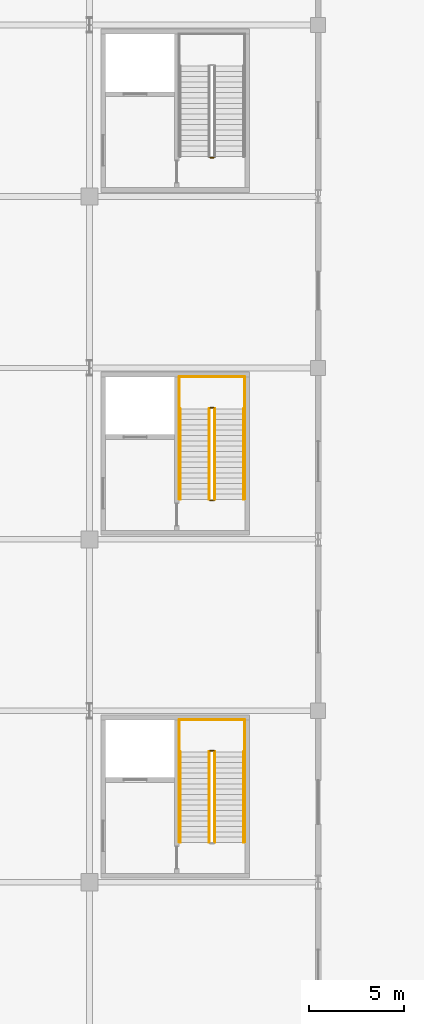
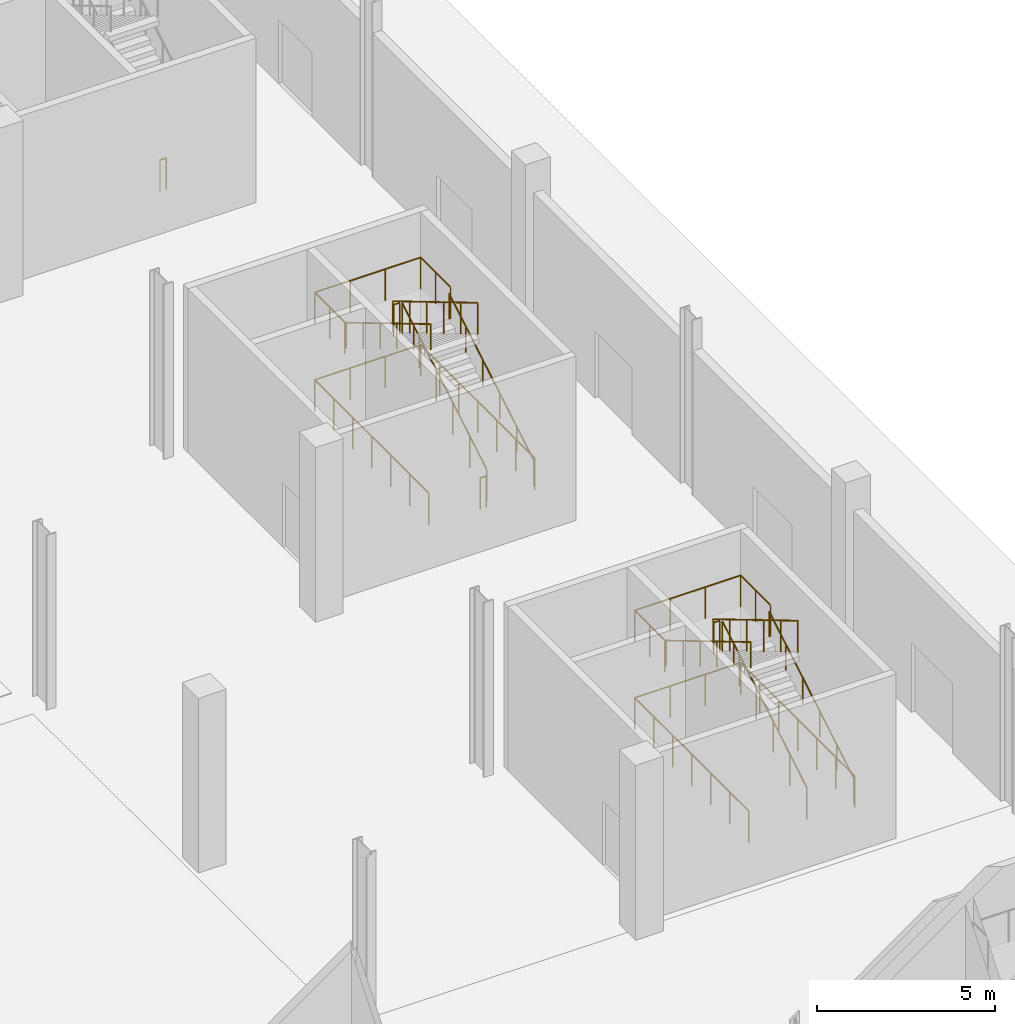
# One storey, part 55 of 58: 24 railings.
"""IFC4 building model written with IfcOpenShell, lengths in metres."""

import ifcopenshell
import ifcopenshell.guid

model = None  # the IFC model being written
_history = None  # IfcOwnerHistory: only IFC2X3 demands one
_inside = {}  # id of a spatial element -> (the spatial element, [elements in it])
_under = {}  # id of a project, library or spatial element -> (it, [spatial elements below it])
_declared = {}  # id of a project -> (the project, [libraries it declares])
_typed = {}  # id of a type object -> (the type object, [elements of that type])
_made_of = {}  # id of a material, layer set ... -> (it, [elements and type objects made of it])


def new_model(schema):
    """Start an empty IFC model of exactly this schema.

    Asked for "IFC4X3", IfcOpenShell would pick the latest addendum, in which some entities
    have other attributes; the version numbers below select the first issue.
    IFC2X3 requires an IfcOwnerHistory on every rooted entity: one is made here for all.
    """
    global model, _history
    if schema == "IFC4X3":
        model = ifcopenshell.file(schema_version=(4, 3, 0, 0))
    else:
        model = ifcopenshell.file(schema=schema)
    _inside.clear()
    _under.clear()
    _declared.clear()
    _typed.clear()
    _made_of.clear()
    _history = None
    if model.schema == "IFC2X3":
        org = make("IfcOrganization", Name="unknown")
        user = make(
            "IfcPersonAndOrganization",
            ThePerson=make("IfcPerson", FamilyName="unknown"),
            TheOrganization=org,
        )
        app = make(
            "IfcApplication",
            ApplicationDeveloper=org,
            Version="unknown",
            ApplicationFullName="unknown",
            ApplicationIdentifier="unknown",
        )
        _history = make(
            "IfcOwnerHistory",
            OwningUser=user,
            OwningApplication=app,
            ChangeAction="ADDED",
            CreationDate=0,
        )
    return model


def make(cls, **values):
    """One entity of the class cls with the attributes given. An attribute that is None is left unset."""
    return model.create_entity(
        cls, **{name: value for name, value in values.items() if value is not None}
    )


def rooted(cls, **values):
    """An entity with a GlobalId (a new one), such as an element, a storey or a relation."""
    return make(cls, GlobalId=ifcopenshell.guid.new(), OwnerHistory=_history, **values)


def si_unit(unit_type, name, prefix=None):
    """IfcSIUnit, for example si_unit("LENGTHUNIT", "METRE", prefix="MILLI")."""
    return make("IfcSIUnit", UnitType=unit_type, Prefix=prefix, Name=name)


def assignment(units):
    """IfcUnitAssignment: the units of a project."""
    return None if units is None else make("IfcUnitAssignment", Units=units)


def point(xyz):
    """IfcCartesianPoint."""
    return None if xyz is None else make("IfcCartesianPoint", Coordinates=xyz)


def direction(xyz):
    """IfcDirection."""
    return None if xyz is None else make("IfcDirection", DirectionRatios=xyz)


def frame(location, z_axis=None, x_axis=None):
    """IfcAxis2Placement3D, a coordinate frame: its origin and axes. An axis left out is left unset."""
    return make(
        "IfcAxis2Placement3D",
        Location=point(location),
        Axis=direction(z_axis),
        RefDirection=direction(x_axis),
    )


def frame_2d(location, x_axis=None):
    """IfcAxis2Placement2D, a coordinate frame in the plane: its origin and x axis."""
    return make(
        "IfcAxis2Placement2D", Location=point(location), RefDirection=direction(x_axis)
    )


def origin():
    """The frame at (0, 0, 0) with its axes left unset."""
    return frame((0.0, 0.0, 0.0))


def origin_2d():
    """The frame at (0, 0) in the plane with its x axis left unset."""
    return frame_2d((0.0, 0.0))


def place(relative_to, where):
    """IfcLocalPlacement: puts the frame where relative to a parent placement (None: the world)."""
    return make(
        "IfcLocalPlacement", PlacementRelTo=relative_to, RelativePlacement=where
    )


def context(
    kind, dimensions, precision=None, world=None, true_north=None, identifier=None
):
    """IfcGeometricRepresentationContext, for example the 3D "Model" context."""
    return make(
        "IfcGeometricRepresentationContext",
        ContextIdentifier=identifier,
        ContextType=kind,
        CoordinateSpaceDimension=dimensions,
        Precision=precision,
        WorldCoordinateSystem=world,
        TrueNorth=true_north,
    )


def subcontext(parent, identifier, kind, view, scale=None):
    """IfcGeometricRepresentationSubContext, for example "Body" below "Model"."""
    return make(
        "IfcGeometricRepresentationSubContext",
        ContextIdentifier=identifier,
        ContextType=kind,
        ParentContext=parent,
        TargetScale=scale,
        TargetView=view,
    )


def project(units=None, contexts=None):
    """IfcProject with its units and contexts."""
    return rooted(
        "IfcProject",
        Name="project",
        RepresentationContexts=contexts,
        UnitsInContext=assignment(units),
    )


def spatial(cls, under=None, at=None, **own):
    """A site, building, storey or space (cls), placed at a placement, below another one or the project."""
    s = rooted(cls, ObjectPlacement=at, **own)
    if under is not None:
        _under.setdefault(under.id(), (under, []))[1].append(s)
    return s


def profile(cls, at=None, kind="AREA", **sizes):
    """A parametric profile (cls). Its sizes go by their IFC names, for example OverallWidth=200.0."""
    return make(cls, ProfileType=kind, Position=at, **sizes)


def circle(**sizes):
    """IfcCircleProfileDef."""
    return profile("IfcCircleProfileDef", **sizes)


def extrude(swept, where, along, depth):
    """IfcExtrudedAreaSolid: the profile swept, set in the frame where, extruded along a direction by depth."""
    return make(
        "IfcExtrudedAreaSolid",
        SweptArea=swept,
        Position=where,
        ExtrudedDirection=direction(along),
        Depth=depth,
    )


def shape(context_of_items, identifier, shape_type, items):
    """IfcShapeRepresentation: the items that make up one representation, for example the "Body"."""
    return make(
        "IfcShapeRepresentation",
        ContextOfItems=context_of_items,
        RepresentationIdentifier=identifier,
        RepresentationType=shape_type,
        Items=items,
    )


def material(Name=None, Category=None):
    """IfcMaterial."""
    return make("IfcMaterial", Name=Name, Category=Category)


def made_of(thing, what):
    """Note that an element or type object is made of a material, layer set ...; save() writes the relation."""
    if what is not None:
        _made_of.setdefault(what.id(), (what, []))[1].append(thing)
    return thing


def type_object(cls, material=None, **own):
    """A type object (cls), such as IfcWallType, which elements share."""
    return made_of(rooted(cls, **own), material)


def element(
    cls,
    number,
    at=None,
    inside=None,
    cuts=None,
    type_object=None,
    material=None,
    context=None,
    identifier="Body",
    shape_type=None,
    held_by="IfcProductDefinitionShape",
    body=None,
    shapes=None,
    **own,
):
    """One element of the class cls, such as IfcWall. Its Tag is "e" and its number.

    at: its placement. inside: the storey or other place that contains it. cuts: it is an
    opening in that element (IfcRelVoidsElement). A single representation is given by context,
    identifier, shape_type and body (its items); several are given by shapes. held_by: the class
    of the entity that holds the representations. save() writes the other relations.
    """
    e = rooted(cls, Tag="e%d" % number, ObjectPlacement=at, **own)
    if body is not None:
        shapes = [shape(context, identifier, shape_type, body)]
    if shapes is not None:
        e.Representation = make(held_by, Representations=shapes)
    if inside is not None:
        _inside.setdefault(inside.id(), (inside, []))[1].append(e)
    if cuts is not None:
        rooted(
            "IfcRelVoidsElement", RelatingBuildingElement=cuts, RelatedOpeningElement=e
        )
    if type_object is not None:
        _typed.setdefault(type_object.id(), (type_object, []))[1].append(e)
    return made_of(e, material)


def aggregate(whole, parts):
    """IfcRelAggregates: a whole, such as a stair, and the parts it consists of."""
    return rooted("IfcRelAggregates", RelatingObject=whole, RelatedObjects=parts)


def save(model, path):
    """Write the relations noted so far, then the file.

    IfcRelAggregates (storeys below a building ...), IfcRelContainedInSpatialStructure (elements
    in a storey), IfcRelDefinesByType, IfcRelAssociatesMaterial and IfcRelDeclares: one each for
    every whole, place, type object, material and project.
    """
    for whole, parts in _under.values():
        aggregate(whole, parts)
    for where, things in _inside.values():
        rooted(
            "IfcRelContainedInSpatialStructure",
            RelatedElements=things,
            RelatingStructure=where,
        )
    for kind, things in _typed.values():
        rooted("IfcRelDefinesByType", RelatedObjects=things, RelatingType=kind)
    for what, things in _made_of.values():
        rooted("IfcRelAssociatesMaterial", RelatedObjects=things, RelatingMaterial=what)
    for by, libraries in _declared.values():
        rooted("IfcRelDeclares", RelatingContext=by, RelatedDefinitions=libraries)
    model.write(path)


model = new_model("IFC4")

# Units and contexts
model_context = context("Model", 3, precision=1e-05, world=origin(), true_north=direction((0.0, 1.0)))
body_context = subcontext(model_context, "Body", "Model", "MODEL_VIEW")
ifc_project = project(units=[si_unit("LENGTHUNIT", "METRE"), si_unit("AREAUNIT", "SQUARE_METRE"), si_unit("VOLUMEUNIT", "CUBIC_METRE"), si_unit("PLANEANGLEUNIT", "RADIAN"), si_unit("MASSUNIT", "GRAM", prefix="KILO")], contexts=[model_context])

# Site, building, storey
site_placement = place(None, origin())
site = spatial("IfcSite", under=ifc_project, at=site_placement, CompositionType="ELEMENT")
building_placement = place(site_placement, origin())
building = spatial("IfcBuilding", under=site, at=building_placement, Name="Barlavento Convention Centre", CompositionType="ELEMENT")
storey_placement = place(building_placement, origin())
storey = spatial("IfcBuildingStorey", under=building, at=storey_placement, Name="L00", CompositionType="ELEMENT", Elevation=0.0)

# Railings
ifc_material_1 = material(Name="Stainless steel and laminated glass balustrade", Category="steel")
railing_type_1 = type_object("IfcRailingType", Name="ARC-RAL-BAL-1100", PredefinedType="BALUSTRADE", material=ifc_material_1)
railing_1_placement = place(storey_placement, frame((186.580078125, 56.090087890625, 0.166748046875)))
element("IfcRailing", 1, at=railing_1_placement, inside=storey, type_object=railing_type_1, Name="L00 ST05 stair guard 1", PredefinedType="BALUSTRADE", context=body_context, shape_type="SweptSolid", body=[
    extrude(circle(Radius=0.02392578125, at=origin_2d()), frame((0.0, 0.0, 1.076171875), z_axis=(0.0, 0.859299802514, 0.511472237174), x_axis=(-1.0, 0.0, 0.0)), (0.0, 0.0, 1.0), 5.539306640625),
    extrude(circle(Radius=0.02099609375, at=origin_2d()), origin(), (0.0, 0.0, 1.0), 1.052001953125),
    extrude(circle(Radius=0.02099609375, at=origin_2d()), frame((0.0, 0.951904296875, 0.566650390625)), (0.0, 0.0, 1.0), 1.052001953125),
    extrude(circle(Radius=0.02099609375, at=origin_2d()), frame((0.0, 1.904052734375, 1.13330078125)), (0.0, 0.0, 1.0), 1.052001953125),
    extrude(circle(Radius=0.02099609375, at=origin_2d()), frame((0.0, 2.85595703125, 1.699951171875)), (0.0, 0.0, 1.0), 1.052001953125),
    extrude(circle(Radius=0.02099609375, at=origin_2d()), frame((0.0, 3.80810546875, 2.2666015625)), (0.0, 0.0, 1.0), 1.052001953125),
    extrude(circle(Radius=0.02099609375, at=origin_2d()), frame((0.0, 4.760009765625, 2.833251953125)), (0.0, 0.0, 1.0), 1.052001953125),
])
railing_2_placement = place(storey_placement, frame((186.530029296875, 60.89990234375, 3.0)))
element("IfcRailing", 2, at=railing_2_placement, inside=storey, type_object=railing_type_1, Name="L00 ST05 stair guard 2", PredefinedType="BALUSTRADE", context=body_context, shape_type="SweptSolid", body=[
    extrude(circle(Radius=0.02392578125, at=origin_2d()), frame((0.0, 0.0, 1.076171875), z_axis=(-1.0, 0.0, 0.0), x_axis=(0.0, -1.0, 0.0)), (0.0, 0.0, 1.0), 0.199951171875),
    extrude(circle(Radius=0.02099609375, at=origin_2d()), origin(), (0.0, 0.0, 1.0), 1.052001953125),
    extrude(circle(Radius=0.02099609375, at=origin_2d()), frame((-0.199951171875, 0.0, 0.0)), (0.0, 0.0, 1.0), 1.052001953125),
])
railing_3_placement = place(storey_placement, frame((186.280029296875, 60.85009765625, 3.166748046875)))
element("IfcRailing", 3, at=railing_3_placement, inside=storey, type_object=railing_type_1, Name="L00 ST05 stair guard 3", PredefinedType="BALUSTRADE", context=body_context, shape_type="SweptSolid", body=[
    extrude(circle(Radius=0.02392578125, at=origin_2d()), frame((0.0, 0.0, 1.076171875), z_axis=(0.0, -0.859299802514, 0.511472237174), x_axis=(1.0, 0.0, 0.0)), (0.0, 0.0, 1.0), 5.539306640625),
    extrude(circle(Radius=0.02099609375, at=origin_2d()), origin(), (0.0, 0.0, 1.0), 1.052001953125),
    extrude(circle(Radius=0.02099609375, at=origin_2d()), frame((0.0, -0.951904296875, 0.566650390625)), (0.0, 0.0, 1.0), 1.052001953125),
    extrude(circle(Radius=0.02099609375, at=origin_2d()), frame((0.0, -1.904052734375, 1.13330078125)), (0.0, 0.0, 1.0), 1.052001953125),
    extrude(circle(Radius=0.02099609375, at=origin_2d()), frame((0.0, -2.85595703125, 1.699951171875)), (0.0, 0.0, 1.0), 1.052001953125),
    extrude(circle(Radius=0.02099609375, at=origin_2d()), frame((0.0, -3.80810546875, 2.2666015625)), (0.0, 0.0, 1.0), 1.052001953125),
    extrude(circle(Radius=0.02099609375, at=origin_2d()), frame((0.0, -4.760009765625, 2.833251953125)), (0.0, 0.0, 1.0), 1.052001953125),
])
for number, where, name in (
    (4, (188.14990234375, 60.85009765625, 3.0), "L00 landing guard GR01"),
    (5, (184.7099609375, 60.85009765625, 3.0), "L00 landing guard GR01"),
):
    element("IfcRailing", number, at=place(storey_placement, frame(where)), inside=storey, type_object=railing_type_1, Name=name, PredefinedType="BALUSTRADE", context=body_context, shape_type="SweptSolid", body=[
        extrude(circle(Radius=0.02392578125, at=origin_2d()), frame((0.0, 0.0, 1.076171875), z_axis=(0.0, 1.0, 0.0), x_axis=(-1.0, 0.0, 0.0)), (0.0, 0.0, 1.0), 1.679931640625),
        extrude(circle(Radius=0.02099609375, at=origin_2d()), origin(), (0.0, 0.0, 1.0), 1.052001953125),
        extrude(circle(Radius=0.02099609375, at=origin_2d()), frame((0.0, 0.83984375, 0.0)), (0.0, 0.0, 1.0), 1.052001953125),
        extrude(circle(Radius=0.02099609375, at=origin_2d()), frame((0.0, 1.679931640625, 0.0)), (0.0, 0.0, 1.0), 1.052001953125),
    ])
railing_4_placement = place(storey_placement, frame((188.14990234375, 62.530029296875, 3.0)))
element("IfcRailing", 6, at=railing_4_placement, inside=storey, type_object=railing_type_1, Name="L00 landing guard GR01", PredefinedType="BALUSTRADE", context=body_context, shape_type="SweptSolid", body=[
    extrude(circle(Radius=0.02392578125, at=origin_2d()), frame((0.0, 0.0, 1.076171875), z_axis=(-1.0, 0.0, 0.0), x_axis=(0.0, -1.0, 0.0)), (0.0, 0.0, 1.0), 3.43994140625),
    extrude(circle(Radius=0.02099609375, at=origin_2d()), origin(), (0.0, 0.0, 1.0), 1.052001953125),
    extrude(circle(Radius=0.02099609375, at=origin_2d()), frame((-1.146728515625, 0.0, 0.0)), (0.0, 0.0, 1.0), 1.052001953125),
    extrude(circle(Radius=0.02099609375, at=origin_2d()), frame((-2.293212890625, 0.0, 0.0)), (0.0, 0.0, 1.0), 1.052001953125),
    extrude(circle(Radius=0.02099609375, at=origin_2d()), frame((-3.43994140625, 0.0, 0.0)), (0.0, 0.0, 1.0), 1.052001953125),
])
railing_5_placement = place(storey_placement, frame((188.14990234375, 56.114990234375, 0.0)))
element("IfcRailing", 7, at=railing_5_placement, inside=storey, type_object=railing_type_1, Name="L00 stairwell perimeter guard GR01", PredefinedType="BALUSTRADE", context=body_context, shape_type="SweptSolid", body=[
    extrude(circle(Radius=0.02392578125, at=origin_2d()), frame((0.0, 0.0, 1.076171875), z_axis=(0.0, 1.0, 0.0), x_axis=(-1.0, 0.0, 0.0)), (0.0, 0.0, 1.0), 6.4150390625),
    extrude(circle(Radius=0.02099609375, at=origin_2d()), origin(), (0.0, 0.0, 1.0), 1.052001953125),
    extrude(circle(Radius=0.02099609375, at=origin_2d()), frame((0.0, 1.069091796875, 0.0)), (0.0, 0.0, 1.0), 1.052001953125),
    extrude(circle(Radius=0.02099609375, at=origin_2d()), frame((0.0, 2.138427734375, 0.0)), (0.0, 0.0, 1.0), 1.052001953125),
    extrude(circle(Radius=0.02099609375, at=origin_2d()), frame((0.0, 3.20751953125, 0.0)), (0.0, 0.0, 1.0), 1.052001953125),
    extrude(circle(Radius=0.02099609375, at=origin_2d()), frame((0.0, 4.276611328125, 0.0)), (0.0, 0.0, 1.0), 1.052001953125),
    extrude(circle(Radius=0.02099609375, at=origin_2d()), frame((0.0, 5.345947265625, 0.0)), (0.0, 0.0, 1.0), 1.052001953125),
    extrude(circle(Radius=0.02099609375, at=origin_2d()), frame((0.0, 6.4150390625, 0.0)), (0.0, 0.0, 1.0), 1.052001953125),
])
railing_6_placement = place(storey_placement, frame((188.14990234375, 62.530029296875, 0.0)))
element("IfcRailing", 8, at=railing_6_placement, inside=storey, type_object=railing_type_1, Name="L00 stairwell perimeter guard GR01", PredefinedType="BALUSTRADE", context=body_context, shape_type="SweptSolid", body=[
    extrude(circle(Radius=0.02392578125, at=origin_2d()), frame((0.0, 0.0, 1.076171875), z_axis=(-1.0, 0.0, 0.0), x_axis=(0.0, -1.0, 0.0)), (0.0, 0.0, 1.0), 3.43994140625),
    extrude(circle(Radius=0.02099609375, at=origin_2d()), origin(), (0.0, 0.0, 1.0), 1.052001953125),
    extrude(circle(Radius=0.02099609375, at=origin_2d()), frame((-1.146728515625, 0.0, 0.0)), (0.0, 0.0, 1.0), 1.052001953125),
    extrude(circle(Radius=0.02099609375, at=origin_2d()), frame((-2.293212890625, 0.0, 0.0)), (0.0, 0.0, 1.0), 1.052001953125),
    extrude(circle(Radius=0.02099609375, at=origin_2d()), frame((-3.43994140625, 0.0, 0.0)), (0.0, 0.0, 1.0), 1.052001953125),
])
railing_7_placement = place(storey_placement, frame((184.7099609375, 62.530029296875, 0.0)))
element("IfcRailing", 9, at=railing_7_placement, inside=storey, type_object=railing_type_1, Name="L00 stairwell perimeter guard GR01", PredefinedType="BALUSTRADE", context=body_context, shape_type="SweptSolid", body=[
    extrude(circle(Radius=0.02392578125, at=origin_2d()), frame((0.0, 0.0, 1.076171875), z_axis=(0.0, -1.0, 0.0), x_axis=(1.0, 0.0, 0.0)), (0.0, 0.0, 1.0), 6.4150390625),
    extrude(circle(Radius=0.02099609375, at=origin_2d()), origin(), (0.0, 0.0, 1.0), 1.052001953125),
    extrude(circle(Radius=0.02099609375, at=origin_2d()), frame((0.0, -1.069091796875, 0.0)), (0.0, 0.0, 1.0), 1.052001953125),
    extrude(circle(Radius=0.02099609375, at=origin_2d()), frame((0.0, -2.138427734375, 0.0)), (0.0, 0.0, 1.0), 1.052001953125),
    extrude(circle(Radius=0.02099609375, at=origin_2d()), frame((0.0, -3.20751953125, 0.0)), (0.0, 0.0, 1.0), 1.052001953125),
    extrude(circle(Radius=0.02099609375, at=origin_2d()), frame((0.0, -4.276611328125, 0.0)), (0.0, 0.0, 1.0), 1.052001953125),
    extrude(circle(Radius=0.02099609375, at=origin_2d()), frame((0.0, -5.345947265625, 0.0)), (0.0, 0.0, 1.0), 1.052001953125),
    extrude(circle(Radius=0.02099609375, at=origin_2d()), frame((0.0, -6.4150390625, 0.0)), (0.0, 0.0, 1.0), 1.052001953125),
])
railing_8_placement = place(storey_placement, frame((186.580078125, 74.090087890625, 0.166748046875)))
element("IfcRailing", 10, at=railing_8_placement, inside=storey, type_object=railing_type_1, Name="L00 ST07 stair guard 1", PredefinedType="BALUSTRADE", context=body_context, shape_type="SweptSolid", body=[
    extrude(circle(Radius=0.02392578125, at=origin_2d()), frame((0.0, 0.0, 1.076171875), z_axis=(0.0, 0.859299802514, 0.511472237174), x_axis=(-1.0, 0.0, 0.0)), (0.0, 0.0, 1.0), 5.539306640625),
    extrude(circle(Radius=0.02099609375, at=origin_2d()), origin(), (0.0, 0.0, 1.0), 1.052001953125),
    extrude(circle(Radius=0.02099609375, at=origin_2d()), frame((0.0, 0.951904296875, 0.566650390625)), (0.0, 0.0, 1.0), 1.052001953125),
    extrude(circle(Radius=0.02099609375, at=origin_2d()), frame((0.0, 1.904052734375, 1.13330078125)), (0.0, 0.0, 1.0), 1.052001953125),
    extrude(circle(Radius=0.02099609375, at=origin_2d()), frame((0.0, 2.85595703125, 1.699951171875)), (0.0, 0.0, 1.0), 1.052001953125),
    extrude(circle(Radius=0.02099609375, at=origin_2d()), frame((0.0, 3.80810546875, 2.2666015625)), (0.0, 0.0, 1.0), 1.052001953125),
    extrude(circle(Radius=0.02099609375, at=origin_2d()), frame((0.0, 4.760009765625, 2.833251953125)), (0.0, 0.0, 1.0), 1.052001953125),
])
railing_9_placement = place(storey_placement, frame((186.530029296875, 78.89990234375, 3.0)))
element("IfcRailing", 11, at=railing_9_placement, inside=storey, type_object=railing_type_1, Name="L00 ST07 stair guard 2", PredefinedType="BALUSTRADE", context=body_context, shape_type="SweptSolid", body=[
    extrude(circle(Radius=0.02392578125, at=origin_2d()), frame((0.0, 0.0, 1.076171875), z_axis=(-1.0, 0.0, 0.0), x_axis=(0.0, -1.0, 0.0)), (0.0, 0.0, 1.0), 0.199951171875),
    extrude(circle(Radius=0.02099609375, at=origin_2d()), origin(), (0.0, 0.0, 1.0), 1.052001953125),
    extrude(circle(Radius=0.02099609375, at=origin_2d()), frame((-0.199951171875, 0.0, 0.0)), (0.0, 0.0, 1.0), 1.052001953125),
])
railing_10_placement = place(storey_placement, frame((186.280029296875, 78.85009765625, 3.166748046875)))
element("IfcRailing", 12, at=railing_10_placement, inside=storey, type_object=railing_type_1, Name="L00 ST07 stair guard 3", PredefinedType="BALUSTRADE", context=body_context, shape_type="SweptSolid", body=[
    extrude(circle(Radius=0.02392578125, at=origin_2d()), frame((0.0, 0.0, 1.076171875), z_axis=(0.0, -0.859299802514, 0.511472237174), x_axis=(1.0, 0.0, 0.0)), (0.0, 0.0, 1.0), 5.539306640625),
    extrude(circle(Radius=0.02099609375, at=origin_2d()), origin(), (0.0, 0.0, 1.0), 1.052001953125),
    extrude(circle(Radius=0.02099609375, at=origin_2d()), frame((0.0, -0.951904296875, 0.566650390625)), (0.0, 0.0, 1.0), 1.052001953125),
    extrude(circle(Radius=0.02099609375, at=origin_2d()), frame((0.0, -1.904052734375, 1.13330078125)), (0.0, 0.0, 1.0), 1.052001953125),
    extrude(circle(Radius=0.02099609375, at=origin_2d()), frame((0.0, -2.85595703125, 1.699951171875)), (0.0, 0.0, 1.0), 1.052001953125),
    extrude(circle(Radius=0.02099609375, at=origin_2d()), frame((0.0, -3.80810546875, 2.2666015625)), (0.0, 0.0, 1.0), 1.052001953125),
    extrude(circle(Radius=0.02099609375, at=origin_2d()), frame((0.0, -4.760009765625, 2.833251953125)), (0.0, 0.0, 1.0), 1.052001953125),
])
railing_11_placement = place(storey_placement, frame((186.530029296875, 74.0400390625, 0.0)))
element("IfcRailing", 13, at=railing_11_placement, inside=storey, type_object=railing_type_1, Name="L00 ST07 stair guard 4", PredefinedType="BALUSTRADE", context=body_context, shape_type="SweptSolid", body=[
    extrude(circle(Radius=0.02392578125, at=origin_2d()), frame((0.0, 0.0, 1.076171875), z_axis=(-1.0, 0.0, 0.0), x_axis=(0.0, -1.0, 0.0)), (0.0, 0.0, 1.0), 0.199951171875),
    extrude(circle(Radius=0.02099609375, at=origin_2d()), origin(), (0.0, 0.0, 1.0), 1.052001953125),
    extrude(circle(Radius=0.02099609375, at=origin_2d()), frame((-0.199951171875, 0.0, 0.0)), (0.0, 0.0, 1.0), 1.052001953125),
])
for number, where, name in (
    (14, (188.14990234375, 78.85009765625, 3.0), "L00 landing guard GR01"),
    (15, (184.7099609375, 78.85009765625, 3.0), "L00 landing guard GR01"),
):
    element("IfcRailing", number, at=place(storey_placement, frame(where)), inside=storey, type_object=railing_type_1, Name=name, PredefinedType="BALUSTRADE", context=body_context, shape_type="SweptSolid", body=[
        extrude(circle(Radius=0.02392578125, at=origin_2d()), frame((0.0, 0.0, 1.076171875), z_axis=(0.0, 1.0, 0.0), x_axis=(-1.0, 0.0, 0.0)), (0.0, 0.0, 1.0), 1.679931640625),
        extrude(circle(Radius=0.02099609375, at=origin_2d()), origin(), (0.0, 0.0, 1.0), 1.052001953125),
        extrude(circle(Radius=0.02099609375, at=origin_2d()), frame((0.0, 0.83984375, 0.0)), (0.0, 0.0, 1.0), 1.052001953125),
        extrude(circle(Radius=0.02099609375, at=origin_2d()), frame((0.0, 1.679931640625, 0.0)), (0.0, 0.0, 1.0), 1.052001953125),
    ])
railing_12_placement = place(storey_placement, frame((188.14990234375, 80.530029296875, 3.0)))
element("IfcRailing", 16, at=railing_12_placement, inside=storey, type_object=railing_type_1, Name="L00 landing guard GR01", PredefinedType="BALUSTRADE", context=body_context, shape_type="SweptSolid", body=[
    extrude(circle(Radius=0.02392578125, at=origin_2d()), frame((0.0, 0.0, 1.076171875), z_axis=(-1.0, 0.0, 0.0), x_axis=(0.0, -1.0, 0.0)), (0.0, 0.0, 1.0), 3.43994140625),
    extrude(circle(Radius=0.02099609375, at=origin_2d()), origin(), (0.0, 0.0, 1.0), 1.052001953125),
    extrude(circle(Radius=0.02099609375, at=origin_2d()), frame((-1.146728515625, 0.0, 0.0)), (0.0, 0.0, 1.0), 1.052001953125),
    extrude(circle(Radius=0.02099609375, at=origin_2d()), frame((-2.293212890625, 0.0, 0.0)), (0.0, 0.0, 1.0), 1.052001953125),
    extrude(circle(Radius=0.02099609375, at=origin_2d()), frame((-3.43994140625, 0.0, 0.0)), (0.0, 0.0, 1.0), 1.052001953125),
])
railing_13_placement = place(storey_placement, frame((188.14990234375, 74.114990234375, 0.0)))
element("IfcRailing", 17, at=railing_13_placement, inside=storey, type_object=railing_type_1, Name="L00 stairwell perimeter guard GR01", PredefinedType="BALUSTRADE", context=body_context, shape_type="SweptSolid", body=[
    extrude(circle(Radius=0.02392578125, at=origin_2d()), frame((0.0, 0.0, 1.076171875), z_axis=(0.0, 1.0, 0.0), x_axis=(-1.0, 0.0, 0.0)), (0.0, 0.0, 1.0), 6.4150390625),
    extrude(circle(Radius=0.02099609375, at=origin_2d()), origin(), (0.0, 0.0, 1.0), 1.052001953125),
    extrude(circle(Radius=0.02099609375, at=origin_2d()), frame((0.0, 1.069091796875, 0.0)), (0.0, 0.0, 1.0), 1.052001953125),
    extrude(circle(Radius=0.02099609375, at=origin_2d()), frame((0.0, 2.138427734375, 0.0)), (0.0, 0.0, 1.0), 1.052001953125),
    extrude(circle(Radius=0.02099609375, at=origin_2d()), frame((0.0, 3.20751953125, 0.0)), (0.0, 0.0, 1.0), 1.052001953125),
    extrude(circle(Radius=0.02099609375, at=origin_2d()), frame((0.0, 4.276611328125, 0.0)), (0.0, 0.0, 1.0), 1.052001953125),
    extrude(circle(Radius=0.02099609375, at=origin_2d()), frame((0.0, 5.345947265625, 0.0)), (0.0, 0.0, 1.0), 1.052001953125),
    extrude(circle(Radius=0.02099609375, at=origin_2d()), frame((0.0, 6.4150390625, 0.0)), (0.0, 0.0, 1.0), 1.052001953125),
])
railing_14_placement = place(storey_placement, frame((188.14990234375, 80.530029296875, 0.0)))
element("IfcRailing", 18, at=railing_14_placement, inside=storey, type_object=railing_type_1, Name="L00 stairwell perimeter guard GR01", PredefinedType="BALUSTRADE", context=body_context, shape_type="SweptSolid", body=[
    extrude(circle(Radius=0.02392578125, at=origin_2d()), frame((0.0, 0.0, 1.076171875), z_axis=(-1.0, 0.0, 0.0), x_axis=(0.0, -1.0, 0.0)), (0.0, 0.0, 1.0), 3.43994140625),
    extrude(circle(Radius=0.02099609375, at=origin_2d()), origin(), (0.0, 0.0, 1.0), 1.052001953125),
    extrude(circle(Radius=0.02099609375, at=origin_2d()), frame((-1.146728515625, 0.0, 0.0)), (0.0, 0.0, 1.0), 1.052001953125),
    extrude(circle(Radius=0.02099609375, at=origin_2d()), frame((-2.293212890625, 0.0, 0.0)), (0.0, 0.0, 1.0), 1.052001953125),
    extrude(circle(Radius=0.02099609375, at=origin_2d()), frame((-3.43994140625, 0.0, 0.0)), (0.0, 0.0, 1.0), 1.052001953125),
])
railing_15_placement = place(storey_placement, frame((184.7099609375, 80.530029296875, 0.0)))
element("IfcRailing", 19, at=railing_15_placement, inside=storey, type_object=railing_type_1, Name="L00 stairwell perimeter guard GR01", PredefinedType="BALUSTRADE", context=body_context, shape_type="SweptSolid", body=[
    extrude(circle(Radius=0.02392578125, at=origin_2d()), frame((0.0, 0.0, 1.076171875), z_axis=(0.0, -1.0, 0.0), x_axis=(1.0, 0.0, 0.0)), (0.0, 0.0, 1.0), 6.4150390625),
    extrude(circle(Radius=0.02099609375, at=origin_2d()), origin(), (0.0, 0.0, 1.0), 1.052001953125),
    extrude(circle(Radius=0.02099609375, at=origin_2d()), frame((0.0, -1.069091796875, 0.0)), (0.0, 0.0, 1.0), 1.052001953125),
    extrude(circle(Radius=0.02099609375, at=origin_2d()), frame((0.0, -2.138427734375, 0.0)), (0.0, 0.0, 1.0), 1.052001953125),
    extrude(circle(Radius=0.02099609375, at=origin_2d()), frame((0.0, -3.20751953125, 0.0)), (0.0, 0.0, 1.0), 1.052001953125),
    extrude(circle(Radius=0.02099609375, at=origin_2d()), frame((0.0, -4.276611328125, 0.0)), (0.0, 0.0, 1.0), 1.052001953125),
    extrude(circle(Radius=0.02099609375, at=origin_2d()), frame((0.0, -5.345947265625, 0.0)), (0.0, 0.0, 1.0), 1.052001953125),
    extrude(circle(Radius=0.02099609375, at=origin_2d()), frame((0.0, -6.4150390625, 0.0)), (0.0, 0.0, 1.0), 1.052001953125),
])
railing_16_placement = place(storey_placement, frame((186.530029296875, 92.0400390625, 0.0)))
element("IfcRailing", 20, at=railing_16_placement, inside=storey, type_object=railing_type_1, Name="L00 ST08 stair guard 4", PredefinedType="BALUSTRADE", context=body_context, shape_type="SweptSolid", body=[
    extrude(circle(Radius=0.02392578125, at=origin_2d()), frame((0.0, 0.0, 1.076171875), z_axis=(-1.0, 0.0, 0.0), x_axis=(0.0, -1.0, 0.0)), (0.0, 0.0, 1.0), 0.199951171875),
    extrude(circle(Radius=0.02099609375, at=origin_2d()), origin(), (0.0, 0.0, 1.0), 1.052001953125),
    extrude(circle(Radius=0.02099609375, at=origin_2d()), frame((-0.199951171875, 0.0, 0.0)), (0.0, 0.0, 1.0), 1.052001953125),
])
ifc_material_2 = material(Name="Brushed stainless steel tubular handrail", Category="steel")
railing_type_2 = type_object("IfcRailingType", Name="ARC-RAL-HR-900", PredefinedType="HANDRAIL", material=ifc_material_2)
railing_17_placement = place(storey_placement, frame((188.10009765625, 56.090087890625, 0.166748046875)))
element("IfcRailing", 21, at=railing_17_placement, inside=storey, type_object=railing_type_2, Name="L00 ST05 stair handrail 1", PredefinedType="HANDRAIL", context=body_context, shape_type="SweptSolid", body=[
    extrude(circle(Radius=0.02392578125, at=origin_2d()), frame((0.0, 0.0, 0.8759765625), z_axis=(0.0, 0.859299802514, 0.511472237174), x_axis=(-1.0, 0.0, 0.0)), (0.0, 0.0, 1.0), 5.539306640625),
    extrude(circle(Radius=0.02099609375, at=origin_2d()), origin(), (0.0, 0.0, 1.0), 0.851806640625),
    extrude(circle(Radius=0.02099609375, at=origin_2d()), frame((0.0, 0.951904296875, 0.566650390625)), (0.0, 0.0, 1.0), 0.851806640625),
    extrude(circle(Radius=0.02099609375, at=origin_2d()), frame((0.0, 1.904052734375, 1.13330078125)), (0.0, 0.0, 1.0), 0.851806640625),
    extrude(circle(Radius=0.02099609375, at=origin_2d()), frame((0.0, 2.85595703125, 1.699951171875)), (0.0, 0.0, 1.0), 0.851806640625),
    extrude(circle(Radius=0.02099609375, at=origin_2d()), frame((0.0, 3.80810546875, 2.2666015625)), (0.0, 0.0, 1.0), 0.851806640625),
    extrude(circle(Radius=0.02099609375, at=origin_2d()), frame((0.0, 4.760009765625, 2.833251953125)), (0.0, 0.0, 1.0), 0.851806640625),
])
railing_18_placement = place(storey_placement, frame((184.760009765625, 60.85009765625, 3.166748046875)))
element("IfcRailing", 22, at=railing_18_placement, inside=storey, type_object=railing_type_2, Name="L00 ST05 stair handrail 2", PredefinedType="HANDRAIL", context=body_context, shape_type="SweptSolid", body=[
    extrude(circle(Radius=0.02392578125, at=origin_2d()), frame((0.0, 0.0, 0.8759765625), z_axis=(0.0, -0.859299802514, 0.511472237174), x_axis=(1.0, 0.0, 0.0)), (0.0, 0.0, 1.0), 5.539306640625),
    extrude(circle(Radius=0.02099609375, at=origin_2d()), origin(), (0.0, 0.0, 1.0), 0.851806640625),
    extrude(circle(Radius=0.02099609375, at=origin_2d()), frame((0.0, -0.951904296875, 0.566650390625)), (0.0, 0.0, 1.0), 0.851806640625),
    extrude(circle(Radius=0.02099609375, at=origin_2d()), frame((0.0, -1.904052734375, 1.13330078125)), (0.0, 0.0, 1.0), 0.851806640625),
    extrude(circle(Radius=0.02099609375, at=origin_2d()), frame((0.0, -2.85595703125, 1.699951171875)), (0.0, 0.0, 1.0), 0.851806640625),
    extrude(circle(Radius=0.02099609375, at=origin_2d()), frame((0.0, -3.80810546875, 2.2666015625)), (0.0, 0.0, 1.0), 0.851806640625),
    extrude(circle(Radius=0.02099609375, at=origin_2d()), frame((0.0, -4.760009765625, 2.833251953125)), (0.0, 0.0, 1.0), 0.851806640625),
])
railing_19_placement = place(storey_placement, frame((188.10009765625, 74.090087890625, 0.166748046875)))
element("IfcRailing", 23, at=railing_19_placement, inside=storey, type_object=railing_type_2, Name="L00 ST07 stair handrail 1", PredefinedType="HANDRAIL", context=body_context, shape_type="SweptSolid", body=[
    extrude(circle(Radius=0.02392578125, at=origin_2d()), frame((0.0, 0.0, 0.8759765625), z_axis=(0.0, 0.859299802514, 0.511472237174), x_axis=(-1.0, 0.0, 0.0)), (0.0, 0.0, 1.0), 5.539306640625),
    extrude(circle(Radius=0.02099609375, at=origin_2d()), origin(), (0.0, 0.0, 1.0), 0.851806640625),
    extrude(circle(Radius=0.02099609375, at=origin_2d()), frame((0.0, 0.951904296875, 0.566650390625)), (0.0, 0.0, 1.0), 0.851806640625),
    extrude(circle(Radius=0.02099609375, at=origin_2d()), frame((0.0, 1.904052734375, 1.13330078125)), (0.0, 0.0, 1.0), 0.851806640625),
    extrude(circle(Radius=0.02099609375, at=origin_2d()), frame((0.0, 2.85595703125, 1.699951171875)), (0.0, 0.0, 1.0), 0.851806640625),
    extrude(circle(Radius=0.02099609375, at=origin_2d()), frame((0.0, 3.80810546875, 2.2666015625)), (0.0, 0.0, 1.0), 0.851806640625),
    extrude(circle(Radius=0.02099609375, at=origin_2d()), frame((0.0, 4.760009765625, 2.833251953125)), (0.0, 0.0, 1.0), 0.851806640625),
])
railing_20_placement = place(storey_placement, frame((184.760009765625, 78.85009765625, 3.166748046875)))
element("IfcRailing", 24, at=railing_20_placement, inside=storey, type_object=railing_type_2, Name="L00 ST07 stair handrail 2", PredefinedType="HANDRAIL", context=body_context, shape_type="SweptSolid", body=[
    extrude(circle(Radius=0.02392578125, at=origin_2d()), frame((0.0, 0.0, 0.8759765625), z_axis=(0.0, -0.859299802514, 0.511472237174), x_axis=(1.0, 0.0, 0.0)), (0.0, 0.0, 1.0), 5.539306640625),
    extrude(circle(Radius=0.02099609375, at=origin_2d()), origin(), (0.0, 0.0, 1.0), 0.851806640625),
    extrude(circle(Radius=0.02099609375, at=origin_2d()), frame((0.0, -0.951904296875, 0.566650390625)), (0.0, 0.0, 1.0), 0.851806640625),
    extrude(circle(Radius=0.02099609375, at=origin_2d()), frame((0.0, -1.904052734375, 1.13330078125)), (0.0, 0.0, 1.0), 0.851806640625),
    extrude(circle(Radius=0.02099609375, at=origin_2d()), frame((0.0, -2.85595703125, 1.699951171875)), (0.0, 0.0, 1.0), 0.851806640625),
    extrude(circle(Radius=0.02099609375, at=origin_2d()), frame((0.0, -3.80810546875, 2.2666015625)), (0.0, 0.0, 1.0), 0.851806640625),
    extrude(circle(Radius=0.02099609375, at=origin_2d()), frame((0.0, -4.760009765625, 2.833251953125)), (0.0, 0.0, 1.0), 0.851806640625),
])

save(model, "model.ifc")
